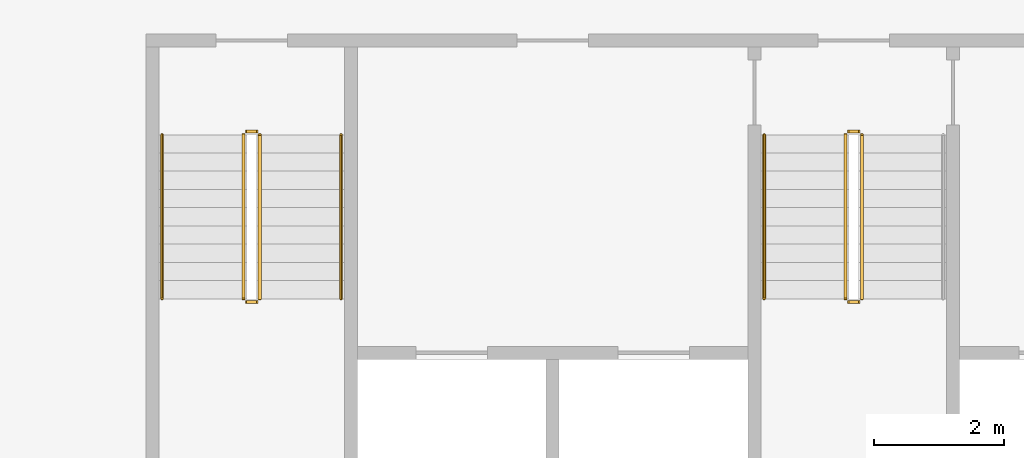
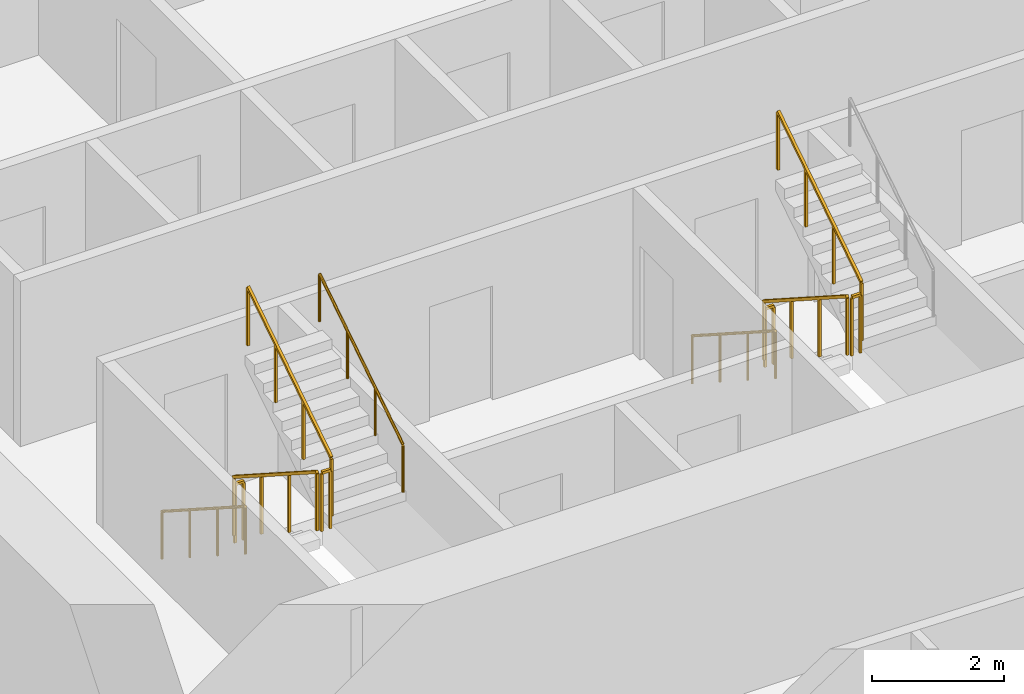
# One storey, part 17 of 20: 11 railings.
"""IFC4 building model written with IfcOpenShell, lengths in metres."""

from ifc_helpers import new_model, si_unit, direction, frame, origin, origin_2d, place, context, subcontext, project, spatial, rectangle, circle, extrude, material, type_object, element, save


model = new_model("IFC4")

# Units and contexts
model_context = context("Model", 3, precision=1e-05, world=origin(), true_north=direction((0.0, 1.0)))
body_context = subcontext(model_context, "Body", "Model", "MODEL_VIEW")
ifc_project = project(units=[si_unit("LENGTHUNIT", "METRE"), si_unit("AREAUNIT", "SQUARE_METRE"), si_unit("VOLUMEUNIT", "CUBIC_METRE"), si_unit("PLANEANGLEUNIT", "RADIAN"), si_unit("MASSUNIT", "GRAM", prefix="KILO")], contexts=[model_context])

# Site, building, storey
site_placement = place(None, origin())
site = spatial("IfcSite", under=ifc_project, at=site_placement, CompositionType="ELEMENT")
building_placement = place(site_placement, origin())
building = spatial("IfcBuilding", under=site, at=building_placement, Name="Mangrove Gate Tower", CompositionType="ELEMENT")
storey_placement = place(building_placement, frame((0.0, 0.0, 60.300048828125)))
storey = spatial("IfcBuildingStorey", under=building, at=storey_placement, Name="L14", CompositionType="ELEMENT", Elevation=60.300048828125)

# Railings
ifc_material_1 = material(Name="Stainless steel 316", Category="steel")
railing_type_1 = type_object("IfcRailingType", Name="Core stair guard 1100", PredefinedType="GUARDRAIL", material=ifc_material_1)
railing_1_placement = place(storey_placement, frame((-9.39990234375, -4.64990234375, 0.179931640625)))
element("IfcRailing", 1, at=railing_1_placement, inside=storey, type_object=railing_type_1, Name="L14 ST1 stair guard 1", PredefinedType="GUARDRAIL", context=body_context, shape_type="SweptSolid", body=[
    extrude(rectangle(XDim=0.048095703125, YDim=0.048095703125, at=origin_2d()), frame((0.0, 0.0, 1.076171875), z_axis=(0.0, -0.841162588446, 0.540782303519), x_axis=(1.0, 0.0, 0.0)), (0.0, 0.0, 1.0), 2.995849609375),
    extrude(rectangle(XDim=0.0419921875, YDim=0.0419921875, at=origin_2d()), origin(), (0.0, 0.0, 1.0), 1.052001953125),
    extrude(rectangle(XDim=0.0419921875, YDim=0.0419921875, at=origin_2d()), frame((0.0, -0.840087890625, 0.5400390625)), (0.0, 0.0, 1.0), 1.052001953125),
    extrude(rectangle(XDim=0.0419921875, YDim=0.0419921875, at=origin_2d()), frame((0.0, -1.679931640625, 1.080078125)), (0.0, 0.0, 1.0), 1.052001953125),
    extrude(rectangle(XDim=0.0419921875, YDim=0.0419921875, at=origin_2d()), frame((0.0, -2.52001953125, 1.6201171875)), (0.0, 0.0, 1.0), 1.052001953125),
])
railing_2_placement = place(storey_placement, frame((-9.35009765625, -7.219970703125, 1.800048828125)))
element("IfcRailing", 2, at=railing_2_placement, inside=storey, type_object=railing_type_1, Name="L14 ST1 stair guard 2", PredefinedType="GUARDRAIL", context=body_context, shape_type="SweptSolid", body=[
    extrude(rectangle(XDim=0.048095703125, YDim=0.048095703125, at=origin_2d()), frame((0.0, 0.0, 1.076171875), z_axis=(1.0, 0.0, 0.0), x_axis=(0.0, 1.0, 0.0)), (0.0, 0.0, 1.0), 0.150146484375),
    extrude(rectangle(XDim=0.0419921875, YDim=0.0419921875, at=origin_2d()), origin(), (0.0, 0.0, 1.0), 1.052001953125),
    extrude(rectangle(XDim=0.0419921875, YDim=0.0419921875, at=origin_2d()), frame((0.150146484375, 0.0, 0.0)), (0.0, 0.0, 1.0), 1.052001953125),
])
railing_3_placement = place(storey_placement, frame((-9.14990234375, -7.169921875, 1.97998046875)))
element("IfcRailing", 3, at=railing_3_placement, inside=storey, type_object=railing_type_1, Name="L14 ST1 stair guard 3", PredefinedType="GUARDRAIL", context=body_context, shape_type="SweptSolid", body=[
    extrude(rectangle(XDim=0.048095703125, YDim=0.048095703125, at=origin_2d()), frame((0.0, 0.0, 1.076171875), z_axis=(0.0, 0.841199657755, 0.540724639528), x_axis=(-1.0, 0.0, 0.0)), (0.0, 0.0, 1.0), 2.995849609375),
    extrude(rectangle(XDim=0.0419921875, YDim=0.0419921875, at=origin_2d()), origin(), (0.0, 0.0, 1.0), 1.052001953125),
    extrude(rectangle(XDim=0.0419921875, YDim=0.0419921875, at=origin_2d()), frame((0.0, 0.840087890625, 0.5400390625)), (0.0, 0.0, 1.0), 1.052001953125),
    extrude(rectangle(XDim=0.0419921875, YDim=0.0419921875, at=origin_2d()), frame((0.0, 1.679931640625, 1.079833984375)), (0.0, 0.0, 1.0), 1.052001953125),
    extrude(rectangle(XDim=0.0419921875, YDim=0.0419921875, at=origin_2d()), frame((0.0, 2.52001953125, 1.619873046875)), (0.0, 0.0, 1.0), 1.052001953125),
])
railing_4_placement = place(storey_placement, frame((-9.35009765625, -4.60009765625, 0.0)))
element("IfcRailing", 4, at=railing_4_placement, inside=storey, type_object=railing_type_1, Name="L14 ST1 stair guard 4", PredefinedType="GUARDRAIL", context=body_context, shape_type="SweptSolid", body=[
    extrude(rectangle(XDim=0.048095703125, YDim=0.048095703125, at=origin_2d()), frame((0.0, 0.0, 1.076171875), z_axis=(1.0, 0.0, 0.0), x_axis=(0.0, 1.0, 0.0)), (0.0, 0.0, 1.0), 0.150146484375),
    extrude(rectangle(XDim=0.0419921875, YDim=0.0419921875, at=origin_2d()), origin(), (0.0, 0.0, 1.0), 1.052001953125),
    extrude(rectangle(XDim=0.0419921875, YDim=0.0419921875, at=origin_2d()), frame((0.150146484375, 0.0, 0.0)), (0.0, 0.0, 1.0), 1.052001953125),
])
railing_5_placement = place(storey_placement, frame((-0.14990234375, -4.64990234375, 0.179931640625)))
element("IfcRailing", 5, at=railing_5_placement, inside=storey, type_object=railing_type_1, Name="L14 ST2 stair guard 1", PredefinedType="GUARDRAIL", context=body_context, shape_type="SweptSolid", body=[
    extrude(rectangle(XDim=0.048095703125, YDim=0.048095703125, at=origin_2d()), frame((0.0, 0.0, 1.076171875), z_axis=(0.0, -0.841162588446, 0.540782303519), x_axis=(1.0, 0.0, 0.0)), (0.0, 0.0, 1.0), 2.995849609375),
    extrude(rectangle(XDim=0.0419921875, YDim=0.0419921875, at=origin_2d()), origin(), (0.0, 0.0, 1.0), 1.052001953125),
    extrude(rectangle(XDim=0.0419921875, YDim=0.0419921875, at=origin_2d()), frame((0.0, -0.840087890625, 0.5400390625)), (0.0, 0.0, 1.0), 1.052001953125),
    extrude(rectangle(XDim=0.0419921875, YDim=0.0419921875, at=origin_2d()), frame((0.0, -1.679931640625, 1.080078125)), (0.0, 0.0, 1.0), 1.052001953125),
    extrude(rectangle(XDim=0.0419921875, YDim=0.0419921875, at=origin_2d()), frame((0.0, -2.52001953125, 1.6201171875)), (0.0, 0.0, 1.0), 1.052001953125),
])
railing_6_placement = place(storey_placement, frame((-0.10009765625, -7.219970703125, 1.800048828125)))
element("IfcRailing", 6, at=railing_6_placement, inside=storey, type_object=railing_type_1, Name="L14 ST2 stair guard 2", PredefinedType="GUARDRAIL", context=body_context, shape_type="SweptSolid", body=[
    extrude(rectangle(XDim=0.048095703125, YDim=0.048095703125, at=origin_2d()), frame((0.0, 0.0, 1.076171875), z_axis=(1.0, 0.0, 0.0), x_axis=(0.0, 1.0, 0.0)), (0.0, 0.0, 1.0), 0.150146484375),
    extrude(rectangle(XDim=0.0419921875, YDim=0.0419921875, at=origin_2d()), origin(), (0.0, 0.0, 1.0), 1.052001953125),
    extrude(rectangle(XDim=0.0419921875, YDim=0.0419921875, at=origin_2d()), frame((0.150146484375, 0.0, 0.0)), (0.0, 0.0, 1.0), 1.052001953125),
])
railing_7_placement = place(storey_placement, frame((0.10009765625, -7.169921875, 1.97998046875)))
element("IfcRailing", 7, at=railing_7_placement, inside=storey, type_object=railing_type_1, Name="L14 ST2 stair guard 3", PredefinedType="GUARDRAIL", context=body_context, shape_type="SweptSolid", body=[
    extrude(rectangle(XDim=0.048095703125, YDim=0.048095703125, at=origin_2d()), frame((0.0, 0.0, 1.076171875), z_axis=(0.0, 0.841199657755, 0.540724639528), x_axis=(-1.0, 0.0, 0.0)), (0.0, 0.0, 1.0), 2.995849609375),
    extrude(rectangle(XDim=0.0419921875, YDim=0.0419921875, at=origin_2d()), origin(), (0.0, 0.0, 1.0), 1.052001953125),
    extrude(rectangle(XDim=0.0419921875, YDim=0.0419921875, at=origin_2d()), frame((0.0, 0.840087890625, 0.5400390625)), (0.0, 0.0, 1.0), 1.052001953125),
    extrude(rectangle(XDim=0.0419921875, YDim=0.0419921875, at=origin_2d()), frame((0.0, 1.679931640625, 1.079833984375)), (0.0, 0.0, 1.0), 1.052001953125),
    extrude(rectangle(XDim=0.0419921875, YDim=0.0419921875, at=origin_2d()), frame((0.0, 2.52001953125, 1.619873046875)), (0.0, 0.0, 1.0), 1.052001953125),
])
railing_8_placement = place(storey_placement, frame((-0.10009765625, -4.60009765625, 0.0)))
element("IfcRailing", 8, at=railing_8_placement, inside=storey, type_object=railing_type_1, Name="L14 ST2 stair guard 4", PredefinedType="GUARDRAIL", context=body_context, shape_type="SweptSolid", body=[
    extrude(rectangle(XDim=0.048095703125, YDim=0.048095703125, at=origin_2d()), frame((0.0, 0.0, 1.076171875), z_axis=(1.0, 0.0, 0.0), x_axis=(0.0, 1.0, 0.0)), (0.0, 0.0, 1.0), 0.150146484375),
    extrude(rectangle(XDim=0.0419921875, YDim=0.0419921875, at=origin_2d()), origin(), (0.0, 0.0, 1.0), 1.052001953125),
    extrude(rectangle(XDim=0.0419921875, YDim=0.0419921875, at=origin_2d()), frame((0.150146484375, 0.0, 0.0)), (0.0, 0.0, 1.0), 1.052001953125),
])
ifc_material_2 = material(Name="Stainless steel 316", Category="steel")
railing_type_2 = type_object("IfcRailingType", Name="Core stair handrail 900", PredefinedType="HANDRAIL", material=ifc_material_2)
railing_9_placement = place(storey_placement, frame((-10.64990234375, -4.64990234375, 0.179931640625)))
element("IfcRailing", 9, at=railing_9_placement, inside=storey, type_object=railing_type_2, Name="L14 ST1 stair handrail 1", PredefinedType="HANDRAIL", context=body_context, shape_type="SweptSolid", body=[
    extrude(circle(Radius=0.02392578125, at=origin_2d()), frame((0.0, 0.0, 0.8759765625), z_axis=(0.0, -0.841162588446, 0.540782303519), x_axis=(1.0, 0.0, 0.0)), (0.0, 0.0, 1.0), 2.995849609375),
    extrude(circle(Radius=0.02099609375, at=origin_2d()), origin(), (0.0, 0.0, 1.0), 0.851806640625),
    extrude(circle(Radius=0.02099609375, at=origin_2d()), frame((0.0, -0.840087890625, 0.5400390625)), (0.0, 0.0, 1.0), 0.851806640625),
    extrude(circle(Radius=0.02099609375, at=origin_2d()), frame((0.0, -1.679931640625, 1.080078125)), (0.0, 0.0, 1.0), 0.851806640625),
    extrude(circle(Radius=0.02099609375, at=origin_2d()), frame((0.0, -2.52001953125, 1.6201171875)), (0.0, 0.0, 1.0), 0.851806640625),
])
railing_10_placement = place(storey_placement, frame((-7.89990234375, -7.169921875, 1.97998046875)))
element("IfcRailing", 10, at=railing_10_placement, inside=storey, type_object=railing_type_2, Name="L14 ST1 stair handrail 2", PredefinedType="HANDRAIL", context=body_context, shape_type="SweptSolid", body=[
    extrude(circle(Radius=0.02392578125, at=origin_2d()), frame((0.0, 0.0, 0.8759765625), z_axis=(0.0, 0.841199657755, 0.540724639528), x_axis=(-1.0, 0.0, 0.0)), (0.0, 0.0, 1.0), 2.995849609375),
    extrude(circle(Radius=0.02099609375, at=origin_2d()), origin(), (0.0, 0.0, 1.0), 0.851806640625),
    extrude(circle(Radius=0.02099609375, at=origin_2d()), frame((0.0, 0.840087890625, 0.5400390625)), (0.0, 0.0, 1.0), 0.851806640625),
    extrude(circle(Radius=0.02099609375, at=origin_2d()), frame((0.0, 1.679931640625, 1.079833984375)), (0.0, 0.0, 1.0), 0.851806640625),
    extrude(circle(Radius=0.02099609375, at=origin_2d()), frame((0.0, 2.52001953125, 1.619873046875)), (0.0, 0.0, 1.0), 0.851806640625),
])
railing_11_placement = place(storey_placement, frame((-1.39990234375, -4.64990234375, 0.179931640625)))
element("IfcRailing", 11, at=railing_11_placement, inside=storey, type_object=railing_type_2, Name="L14 ST2 stair handrail 1", PredefinedType="HANDRAIL", context=body_context, shape_type="SweptSolid", body=[
    extrude(circle(Radius=0.02392578125, at=origin_2d()), frame((0.0, 0.0, 0.8759765625), z_axis=(0.0, -0.841162588446, 0.540782303519), x_axis=(1.0, 0.0, 0.0)), (0.0, 0.0, 1.0), 2.995849609375),
    extrude(circle(Radius=0.02099609375, at=origin_2d()), origin(), (0.0, 0.0, 1.0), 0.851806640625),
    extrude(circle(Radius=0.02099609375, at=origin_2d()), frame((0.0, -0.840087890625, 0.5400390625)), (0.0, 0.0, 1.0), 0.851806640625),
    extrude(circle(Radius=0.02099609375, at=origin_2d()), frame((0.0, -1.679931640625, 1.080078125)), (0.0, 0.0, 1.0), 0.851806640625),
    extrude(circle(Radius=0.02099609375, at=origin_2d()), frame((0.0, -2.52001953125, 1.6201171875)), (0.0, 0.0, 1.0), 0.851806640625),
])

save(model, "model.ifc")
